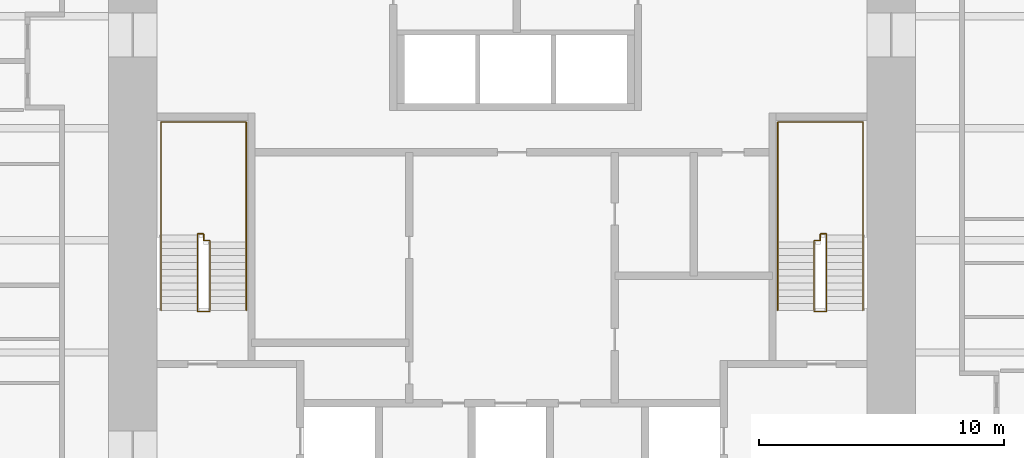
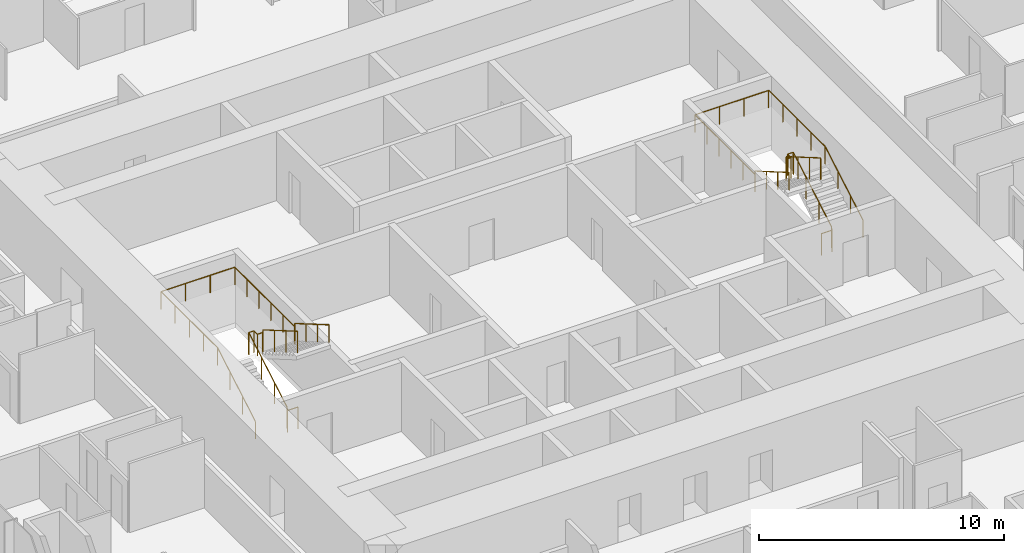
# One storey, part 12 of 12: 4 railings.
"""IFC4 building model written with IfcOpenShell, lengths in metres."""

from ifc_helpers import new_model, si_unit, direction, frame, origin, origin_2d, place, context, subcontext, project, spatial, circle, extrude, material, type_object, element, save


model = new_model("IFC4")

# Units and contexts
model_context = context("Model", 3, precision=1e-05, world=origin(), true_north=direction((0.0, 1.0)))
body_context = subcontext(model_context, "Body", "Model", "MODEL_VIEW")
ifc_project = project(units=[si_unit("LENGTHUNIT", "METRE"), si_unit("AREAUNIT", "SQUARE_METRE"), si_unit("VOLUMEUNIT", "CUBIC_METRE"), si_unit("PLANEANGLEUNIT", "RADIAN"), si_unit("MASSUNIT", "GRAM", prefix="KILO")], contexts=[model_context])

# Site, building, storey
site_placement = place(None, origin())
site = spatial("IfcSite", under=ifc_project, at=site_placement, CompositionType="ELEMENT")
building_placement = place(site_placement, origin())
building = spatial("IfcBuilding", under=site, at=building_placement, Name="Khuree Lantern Residences", CompositionType="ELEMENT")
storey_placement = place(building_placement, frame((0.0, 0.0, 182.25)))
storey = spatial("IfcBuildingStorey", under=building, at=storey_placement, Name="L46", CompositionType="ELEMENT", Elevation=182.25)

# Railings
ifc_material = material(Name="Steel S355", Category="steel")
railing_type_1 = type_object("IfcRailingType", Name="STAIR GUARD G1 1100", PredefinedType="GUARDRAIL", material=ifc_material)
railing_1_placement = place(storey_placement, frame((-12.35009765625, -2.909912109375, 0.0)))
element("IfcRailing", 1, at=railing_1_placement, inside=storey, type_object=railing_type_1, Name="Stair ST1 guard", PredefinedType="GUARDRAIL", context=body_context, shape_type="SweptSolid", body=[
    extrude(circle(Radius=0.02392578125, at=origin_2d()), frame((0.0, 0.0, 1.076171875), z_axis=(-1.0, 0.0, 0.0), x_axis=(0.0, -1.0, 0.0)), (0.0, 0.0, 1.0), 0.5),
    extrude(circle(Radius=0.02392578125, at=origin_2d()), frame((-0.5, 0.0, 1.076171875), z_axis=(0.0, 0.292073035251, 0.95639601739), x_axis=(-1.0, 0.0, 0.0)), (0.0, 0.0, 1.0), 0.17041015625),
    extrude(circle(Radius=0.02392578125, at=origin_2d()), frame((-0.5, 0.0498046875, 1.2392578125), z_axis=(0.0, 0.864176135923, 0.503189433615), x_axis=(-1.0, 0.0, 0.0)), (0.0, 0.0, 1.0), 3.564208984375),
    extrude(circle(Radius=0.02392578125, at=origin_2d()), frame((-0.5, 3.1298828125, 3.03271484375), z_axis=(0.0, 1.0, 0.0), x_axis=(-1.0, 0.0, 0.0)), (0.0, 0.0, 1.0), 0.050048828125),
    extrude(circle(Radius=0.02392578125, at=origin_2d()), frame((-0.5, 3.179931640625, 3.03271484375), z_axis=(1.0, 0.0, 0.0), x_axis=(0.0, 1.0, 0.0)), (0.0, 0.0, 1.0), 0.25),
    extrude(circle(Radius=0.02392578125, at=origin_2d()), frame((-0.25, 3.179931640625, 3.03271484375), z_axis=(0.0, -1.0, 0.0), x_axis=(1.0, 0.0, 0.0)), (0.0, 0.0, 1.0), 0.280029296875),
    extrude(circle(Radius=0.02392578125, at=origin_2d()), frame((-0.25, 2.89990234375, 3.03271484375), z_axis=(1.0, 0.0, 0.0), x_axis=(0.0, 1.0, 0.0)), (0.0, 0.0, 1.0), 0.25),
    extrude(circle(Radius=0.02392578125, at=origin_2d()), frame((0.0, 2.89990234375, 3.03271484375), z_axis=(0.0, -0.293381807449, 0.955995353053), x_axis=(1.0, 0.0, 0.0)), (0.0, 0.0, 1.0), 0.170654296875),
    extrude(circle(Radius=0.02392578125, at=origin_2d()), frame((0.0, 2.849853515625, 3.19580078125), z_axis=(0.0, -0.864180358799, 0.503182181189), x_axis=(1.0, 0.0, 0.0)), (0.0, 0.0, 1.0), 3.240234375),
    extrude(circle(Radius=0.02099609375, at=origin_2d()), origin(), (0.0, 0.0, 1.0), 1.052001953125),
    extrude(circle(Radius=0.02099609375, at=origin_2d()), frame((-0.5, 0.0, 0.0)), (0.0, 0.0, 1.0), 1.052001953125),
    extrude(circle(Radius=0.02099609375, at=origin_2d()), frame((-0.5, 0.0498046875, 0.1630859375)), (0.0, 0.0, 1.0), 1.052001953125),
    extrude(circle(Radius=0.02099609375, at=origin_2d()), frame((-0.5, 1.076416015625, 0.760986328125)), (0.0, 0.0, 1.0), 1.052001953125),
    extrude(circle(Radius=0.02099609375, at=origin_2d()), frame((-0.5, 2.103271484375, 1.358642578125)), (0.0, 0.0, 1.0), 1.052001953125),
    extrude(circle(Radius=0.02099609375, at=origin_2d()), frame((-0.5, 3.1298828125, 1.95654296875)), (0.0, 0.0, 1.0), 1.052001953125),
    extrude(circle(Radius=0.02099609375, at=origin_2d()), frame((-0.5, 3.179931640625, 1.95654296875)), (0.0, 0.0, 1.0), 1.052001953125),
    extrude(circle(Radius=0.02099609375, at=origin_2d()), frame((-0.25, 3.179931640625, 1.95654296875)), (0.0, 0.0, 1.0), 1.052001953125),
    extrude(circle(Radius=0.02099609375, at=origin_2d()), frame((-0.25, 2.89990234375, 1.95654296875)), (0.0, 0.0, 1.0), 1.052001953125),
    extrude(circle(Radius=0.02099609375, at=origin_2d()), frame((0.0, 2.89990234375, 1.95654296875)), (0.0, 0.0, 1.0), 1.052001953125),
    extrude(circle(Radius=0.02099609375, at=origin_2d()), frame((0.0, 2.849853515625, 2.11962890625)), (0.0, 0.0, 1.0), 1.052001953125),
    extrude(circle(Radius=0.02099609375, at=origin_2d()), frame((0.0, 1.91650390625, 2.6630859375)), (0.0, 0.0, 1.0), 1.052001953125),
    extrude(circle(Radius=0.02099609375, at=origin_2d()), frame((0.0, 0.983154296875, 3.20654296875)), (0.0, 0.0, 1.0), 1.052001953125),
    extrude(circle(Radius=0.02099609375, at=origin_2d()), frame((0.0, 0.0498046875, 3.75)), (0.0, 0.0, 1.0), 1.052001953125),
])
railing_2_placement = place(storey_placement, frame((12.35009765625, -2.909912109375, 0.0)))
element("IfcRailing", 2, at=railing_2_placement, inside=storey, type_object=railing_type_1, Name="Stair ST2 guard", PredefinedType="GUARDRAIL", context=body_context, shape_type="SweptSolid", body=[
    extrude(circle(Radius=0.02392578125, at=origin_2d()), frame((0.0, 0.0, 1.076171875), z_axis=(1.0, 0.0, 0.0), x_axis=(0.0, 1.0, 0.0)), (0.0, 0.0, 1.0), 0.5),
    extrude(circle(Radius=0.02392578125, at=origin_2d()), frame((0.5, 0.0, 1.076171875), z_axis=(0.0, 0.292073035251, 0.95639601739), x_axis=(-1.0, 0.0, 0.0)), (0.0, 0.0, 1.0), 0.17041015625),
    extrude(circle(Radius=0.02392578125, at=origin_2d()), frame((0.5, 0.0498046875, 1.2392578125), z_axis=(0.0, 0.864176135923, 0.503189433615), x_axis=(-1.0, 0.0, 0.0)), (0.0, 0.0, 1.0), 3.564208984375),
    extrude(circle(Radius=0.02392578125, at=origin_2d()), frame((0.5, 3.1298828125, 3.03271484375), z_axis=(0.0, 1.0, 0.0), x_axis=(-1.0, 0.0, 0.0)), (0.0, 0.0, 1.0), 0.050048828125),
    extrude(circle(Radius=0.02392578125, at=origin_2d()), frame((0.5, 3.179931640625, 3.03271484375), z_axis=(-1.0, 0.0, 0.0), x_axis=(0.0, -1.0, 0.0)), (0.0, 0.0, 1.0), 0.25),
    extrude(circle(Radius=0.02392578125, at=origin_2d()), frame((0.25, 3.179931640625, 3.03271484375), z_axis=(0.0, -1.0, 0.0), x_axis=(1.0, 0.0, 0.0)), (0.0, 0.0, 1.0), 0.280029296875),
    extrude(circle(Radius=0.02392578125, at=origin_2d()), frame((0.25, 2.89990234375, 3.03271484375), z_axis=(-1.0, 0.0, 0.0), x_axis=(0.0, -1.0, 0.0)), (0.0, 0.0, 1.0), 0.25),
    extrude(circle(Radius=0.02392578125, at=origin_2d()), frame((0.0, 2.89990234375, 3.03271484375), z_axis=(0.0, -0.293381807449, 0.955995353053), x_axis=(1.0, 0.0, 0.0)), (0.0, 0.0, 1.0), 0.170654296875),
    extrude(circle(Radius=0.02392578125, at=origin_2d()), frame((0.0, 2.849853515625, 3.19580078125), z_axis=(0.0, -0.864180358799, 0.503182181189), x_axis=(1.0, 0.0, 0.0)), (0.0, 0.0, 1.0), 3.240234375),
    extrude(circle(Radius=0.02099609375, at=origin_2d()), origin(), (0.0, 0.0, 1.0), 1.052001953125),
    extrude(circle(Radius=0.02099609375, at=origin_2d()), frame((0.5, 0.0, 0.0)), (0.0, 0.0, 1.0), 1.052001953125),
    extrude(circle(Radius=0.02099609375, at=origin_2d()), frame((0.5, 0.0498046875, 0.1630859375)), (0.0, 0.0, 1.0), 1.052001953125),
    extrude(circle(Radius=0.02099609375, at=origin_2d()), frame((0.5, 1.076416015625, 0.760986328125)), (0.0, 0.0, 1.0), 1.052001953125),
    extrude(circle(Radius=0.02099609375, at=origin_2d()), frame((0.5, 2.103271484375, 1.358642578125)), (0.0, 0.0, 1.0), 1.052001953125),
    extrude(circle(Radius=0.02099609375, at=origin_2d()), frame((0.5, 3.1298828125, 1.95654296875)), (0.0, 0.0, 1.0), 1.052001953125),
    extrude(circle(Radius=0.02099609375, at=origin_2d()), frame((0.5, 3.179931640625, 1.95654296875)), (0.0, 0.0, 1.0), 1.052001953125),
    extrude(circle(Radius=0.02099609375, at=origin_2d()), frame((0.25, 3.179931640625, 1.95654296875)), (0.0, 0.0, 1.0), 1.052001953125),
    extrude(circle(Radius=0.02099609375, at=origin_2d()), frame((0.25, 2.89990234375, 1.95654296875)), (0.0, 0.0, 1.0), 1.052001953125),
    extrude(circle(Radius=0.02099609375, at=origin_2d()), frame((0.0, 2.89990234375, 1.95654296875)), (0.0, 0.0, 1.0), 1.052001953125),
    extrude(circle(Radius=0.02099609375, at=origin_2d()), frame((0.0, 2.849853515625, 2.11962890625)), (0.0, 0.0, 1.0), 1.052001953125),
    extrude(circle(Radius=0.02099609375, at=origin_2d()), frame((0.0, 1.91650390625, 2.6630859375)), (0.0, 0.0, 1.0), 1.052001953125),
    extrude(circle(Radius=0.02099609375, at=origin_2d()), frame((0.0, 0.983154296875, 3.20654296875)), (0.0, 0.0, 1.0), 1.052001953125),
    extrude(circle(Radius=0.02099609375, at=origin_2d()), frame((0.0, 0.0498046875, 3.75)), (0.0, 0.0, 1.0), 1.052001953125),
])
railing_type_2 = type_object("IfcRailingType", Name="STAIR HANDRAIL H1 900", PredefinedType="HANDRAIL", material=ifc_material)
railing_3_placement = place(storey_placement, frame((-14.340087890625, -2.860107421875, 0.1630859375)))
element("IfcRailing", 3, at=railing_3_placement, inside=storey, type_object=railing_type_2, Name="Stair ST1 handrail", PredefinedType="HANDRAIL", context=body_context, shape_type="SweptSolid", body=[
    extrude(circle(Radius=0.02392578125, at=origin_2d()), frame((0.0, 0.0, 0.8759765625), z_axis=(0.0, 0.864176135923, 0.503189433615), x_axis=(-1.0, 0.0, 0.0)), (0.0, 0.0, 1.0), 3.564208984375),
    extrude(circle(Radius=0.02392578125, at=origin_2d()), frame((0.0, 3.080078125, 2.66943359375), z_axis=(0.0, 1.0, 0.0), x_axis=(-1.0, 0.0, 0.0)), (0.0, 0.0, 1.0), 4.6201171875),
    extrude(circle(Radius=0.02392578125, at=origin_2d()), frame((0.0, 7.7001953125, 2.66943359375), z_axis=(1.0, 0.0, 0.0), x_axis=(0.0, 1.0, 0.0)), (0.0, 0.0, 1.0), 3.47998046875),
    extrude(circle(Radius=0.02392578125, at=origin_2d()), frame((3.47998046875, 7.7001953125, 2.66943359375), z_axis=(0.0, -1.0, 0.0), x_axis=(1.0, 0.0, 0.0)), (0.0, 0.0, 1.0), 4.900146484375),
    extrude(circle(Radius=0.02392578125, at=origin_2d()), frame((3.47998046875, 2.800048828125, 2.66943359375), z_axis=(0.0, 0.0, 1.0), x_axis=(1.0, 0.0, 0.0)), (0.0, 0.0, 1.0), 0.1630859375),
    extrude(circle(Radius=0.02392578125, at=origin_2d()), frame((3.47998046875, 2.800048828125, 2.83251953125), z_axis=(0.0, -0.864180358799, 0.503182181189), x_axis=(1.0, 0.0, 0.0)), (0.0, 0.0, 1.0), 3.240234375),
    extrude(circle(Radius=0.02099609375, at=origin_2d()), origin(), (0.0, 0.0, 1.0), 0.851806640625),
    extrude(circle(Radius=0.02099609375, at=origin_2d()), frame((0.0, 1.026611328125, 0.597900390625)), (0.0, 0.0, 1.0), 0.851806640625),
    extrude(circle(Radius=0.02099609375, at=origin_2d()), frame((0.0, 2.053466796875, 1.195556640625)), (0.0, 0.0, 1.0), 0.851806640625),
    extrude(circle(Radius=0.02099609375, at=origin_2d()), frame((0.0, 3.080078125, 1.79345703125)), (0.0, 0.0, 1.0), 0.851806640625),
    extrude(circle(Radius=0.02099609375, at=origin_2d()), frame((0.0, 4.235107421875, 1.79345703125)), (0.0, 0.0, 1.0), 0.851806640625),
    extrude(circle(Radius=0.02099609375, at=origin_2d()), frame((0.0, 5.39013671875, 1.79345703125)), (0.0, 0.0, 1.0), 0.851806640625),
    extrude(circle(Radius=0.02099609375, at=origin_2d()), frame((0.0, 6.545166015625, 1.79345703125)), (0.0, 0.0, 1.0), 0.851806640625),
    extrude(circle(Radius=0.02099609375, at=origin_2d()), frame((0.0, 7.7001953125, 1.79345703125)), (0.0, 0.0, 1.0), 0.851806640625),
    extrude(circle(Radius=0.02099609375, at=origin_2d()), frame((1.159912109375, 7.7001953125, 1.79345703125)), (0.0, 0.0, 1.0), 0.851806640625),
    extrude(circle(Radius=0.02099609375, at=origin_2d()), frame((2.320068359375, 7.7001953125, 1.79345703125)), (0.0, 0.0, 1.0), 0.851806640625),
    extrude(circle(Radius=0.02099609375, at=origin_2d()), frame((3.47998046875, 7.7001953125, 1.79345703125)), (0.0, 0.0, 1.0), 0.851806640625),
    extrude(circle(Radius=0.02099609375, at=origin_2d()), frame((3.47998046875, 6.72021484375, 1.79345703125)), (0.0, 0.0, 1.0), 0.851806640625),
    extrude(circle(Radius=0.02099609375, at=origin_2d()), frame((3.47998046875, 5.740234375, 1.79345703125)), (0.0, 0.0, 1.0), 0.851806640625),
    extrude(circle(Radius=0.02099609375, at=origin_2d()), frame((3.47998046875, 4.760009765625, 1.79345703125)), (0.0, 0.0, 1.0), 0.851806640625),
    extrude(circle(Radius=0.02099609375, at=origin_2d()), frame((3.47998046875, 3.780029296875, 1.79345703125)), (0.0, 0.0, 1.0), 0.851806640625),
    extrude(circle(Radius=0.02099609375, at=origin_2d()), frame((3.47998046875, 2.800048828125, 1.79345703125)), (0.0, 0.0, 1.0), 0.851806640625),
    extrude(circle(Radius=0.02099609375, at=origin_2d()), frame((3.47998046875, 2.800048828125, 1.95654296875)), (0.0, 0.0, 1.0), 0.851806640625),
    extrude(circle(Radius=0.02099609375, at=origin_2d()), frame((3.47998046875, 1.86669921875, 2.5)), (0.0, 0.0, 1.0), 0.851806640625),
    extrude(circle(Radius=0.02099609375, at=origin_2d()), frame((3.47998046875, 0.933349609375, 3.04345703125)), (0.0, 0.0, 1.0), 0.851806640625),
    extrude(circle(Radius=0.02099609375, at=origin_2d()), frame((3.47998046875, 0.0, 3.5869140625)), (0.0, 0.0, 1.0), 0.851806640625),
])
railing_4_placement = place(storey_placement, frame((14.340087890625, -2.860107421875, 0.1630859375)))
element("IfcRailing", 4, at=railing_4_placement, inside=storey, type_object=railing_type_2, Name="Stair ST2 handrail", PredefinedType="HANDRAIL", context=body_context, shape_type="SweptSolid", body=[
    extrude(circle(Radius=0.02392578125, at=origin_2d()), frame((0.0, 0.0, 0.8759765625), z_axis=(0.0, 0.864176135923, 0.503189433615), x_axis=(-1.0, 0.0, 0.0)), (0.0, 0.0, 1.0), 3.564208984375),
    extrude(circle(Radius=0.02392578125, at=origin_2d()), frame((0.0, 3.080078125, 2.66943359375), z_axis=(0.0, 1.0, 0.0), x_axis=(-1.0, 0.0, 0.0)), (0.0, 0.0, 1.0), 4.6201171875),
    extrude(circle(Radius=0.02392578125, at=origin_2d()), frame((0.0, 7.7001953125, 2.66943359375), z_axis=(-1.0, 0.0, 0.0), x_axis=(0.0, -1.0, 0.0)), (0.0, 0.0, 1.0), 3.47998046875),
    extrude(circle(Radius=0.02392578125, at=origin_2d()), frame((-3.47998046875, 7.7001953125, 2.66943359375), z_axis=(0.0, -1.0, 0.0), x_axis=(1.0, 0.0, 0.0)), (0.0, 0.0, 1.0), 4.900146484375),
    extrude(circle(Radius=0.02392578125, at=origin_2d()), frame((-3.47998046875, 2.800048828125, 2.66943359375), z_axis=(0.0, 0.0, 1.0), x_axis=(1.0, 0.0, 0.0)), (0.0, 0.0, 1.0), 0.1630859375),
    extrude(circle(Radius=0.02392578125, at=origin_2d()), frame((-3.47998046875, 2.800048828125, 2.83251953125), z_axis=(0.0, -0.864180358799, 0.503182181189), x_axis=(1.0, 0.0, 0.0)), (0.0, 0.0, 1.0), 3.240234375),
    extrude(circle(Radius=0.02099609375, at=origin_2d()), origin(), (0.0, 0.0, 1.0), 0.851806640625),
    extrude(circle(Radius=0.02099609375, at=origin_2d()), frame((0.0, 1.026611328125, 0.597900390625)), (0.0, 0.0, 1.0), 0.851806640625),
    extrude(circle(Radius=0.02099609375, at=origin_2d()), frame((0.0, 2.053466796875, 1.195556640625)), (0.0, 0.0, 1.0), 0.851806640625),
    extrude(circle(Radius=0.02099609375, at=origin_2d()), frame((0.0, 3.080078125, 1.79345703125)), (0.0, 0.0, 1.0), 0.851806640625),
    extrude(circle(Radius=0.02099609375, at=origin_2d()), frame((0.0, 4.235107421875, 1.79345703125)), (0.0, 0.0, 1.0), 0.851806640625),
    extrude(circle(Radius=0.02099609375, at=origin_2d()), frame((0.0, 5.39013671875, 1.79345703125)), (0.0, 0.0, 1.0), 0.851806640625),
    extrude(circle(Radius=0.02099609375, at=origin_2d()), frame((0.0, 6.545166015625, 1.79345703125)), (0.0, 0.0, 1.0), 0.851806640625),
    extrude(circle(Radius=0.02099609375, at=origin_2d()), frame((0.0, 7.7001953125, 1.79345703125)), (0.0, 0.0, 1.0), 0.851806640625),
    extrude(circle(Radius=0.02099609375, at=origin_2d()), frame((-1.159912109375, 7.7001953125, 1.79345703125)), (0.0, 0.0, 1.0), 0.851806640625),
    extrude(circle(Radius=0.02099609375, at=origin_2d()), frame((-2.320068359375, 7.7001953125, 1.79345703125)), (0.0, 0.0, 1.0), 0.851806640625),
    extrude(circle(Radius=0.02099609375, at=origin_2d()), frame((-3.47998046875, 7.7001953125, 1.79345703125)), (0.0, 0.0, 1.0), 0.851806640625),
    extrude(circle(Radius=0.02099609375, at=origin_2d()), frame((-3.47998046875, 6.72021484375, 1.79345703125)), (0.0, 0.0, 1.0), 0.851806640625),
    extrude(circle(Radius=0.02099609375, at=origin_2d()), frame((-3.47998046875, 5.740234375, 1.79345703125)), (0.0, 0.0, 1.0), 0.851806640625),
    extrude(circle(Radius=0.02099609375, at=origin_2d()), frame((-3.47998046875, 4.760009765625, 1.79345703125)), (0.0, 0.0, 1.0), 0.851806640625),
    extrude(circle(Radius=0.02099609375, at=origin_2d()), frame((-3.47998046875, 3.780029296875, 1.79345703125)), (0.0, 0.0, 1.0), 0.851806640625),
    extrude(circle(Radius=0.02099609375, at=origin_2d()), frame((-3.47998046875, 2.800048828125, 1.79345703125)), (0.0, 0.0, 1.0), 0.851806640625),
    extrude(circle(Radius=0.02099609375, at=origin_2d()), frame((-3.47998046875, 2.800048828125, 1.95654296875)), (0.0, 0.0, 1.0), 0.851806640625),
    extrude(circle(Radius=0.02099609375, at=origin_2d()), frame((-3.47998046875, 1.86669921875, 2.5)), (0.0, 0.0, 1.0), 0.851806640625),
    extrude(circle(Radius=0.02099609375, at=origin_2d()), frame((-3.47998046875, 0.933349609375, 3.04345703125)), (0.0, 0.0, 1.0), 0.851806640625),
    extrude(circle(Radius=0.02099609375, at=origin_2d()), frame((-3.47998046875, 0.0, 3.5869140625)), (0.0, 0.0, 1.0), 0.851806640625),
])

save(model, "model.ifc")
